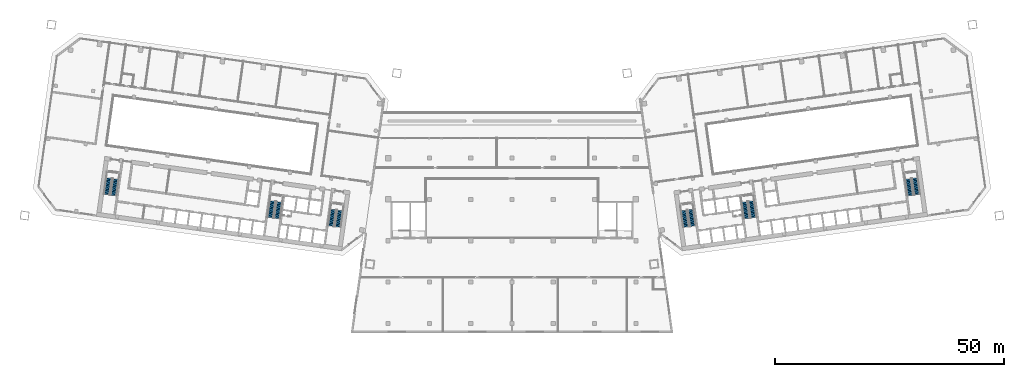
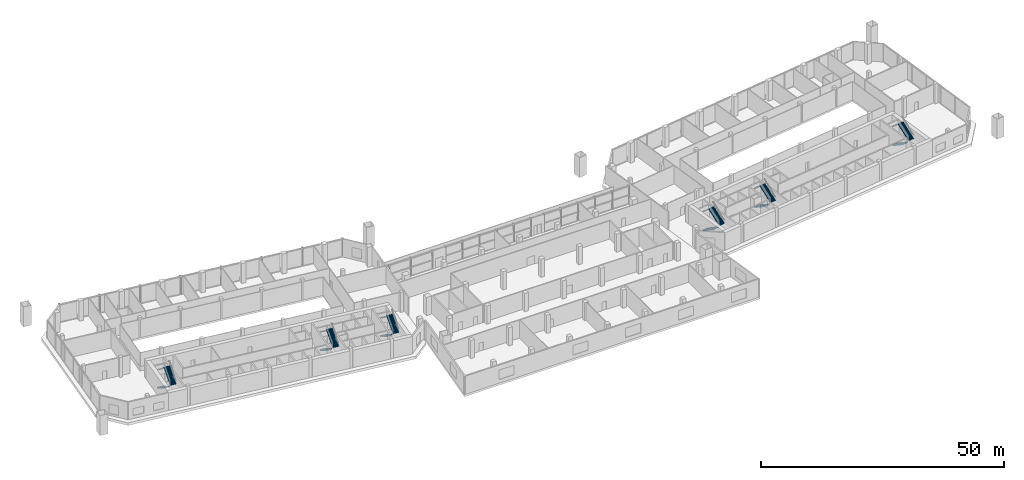
# One storey, part 19 of 21: 12 stair flights, 6 elements without a shape of their own.
"""IFC4 building model written with IfcOpenShell, lengths in metres."""

from ifc_helpers import new_model, si_unit, direction, frame, origin, place, context, subcontext, project, spatial, polyline, outline, extrude, material, type_object, element, aggregate, save


model = new_model("IFC4")

# Units and contexts
model_context = context("Model", 3, precision=1e-05, world=origin(), true_north=direction((0.0, 1.0)))
body_context = subcontext(model_context, "Body", "Model", "MODEL_VIEW")
ifc_project = project(units=[si_unit("LENGTHUNIT", "METRE"), si_unit("AREAUNIT", "SQUARE_METRE"), si_unit("VOLUMEUNIT", "CUBIC_METRE"), si_unit("PLANEANGLEUNIT", "RADIAN"), si_unit("MASSUNIT", "GRAM", prefix="KILO")], contexts=[model_context])

# Site, building, storey
site_placement = place(None, origin())
site = spatial("IfcSite", under=ifc_project, at=site_placement, CompositionType="ELEMENT")
building_placement = place(site_placement, origin())
building = spatial("IfcBuilding", under=site, at=building_placement, Name="Mirante Cascada Hotel Towers", CompositionType="ELEMENT")
storey_placement = place(building_placement, frame((0.0, 0.0, 34.5)))
storey = spatial("IfcBuildingStorey", under=building, at=storey_placement, Name="L05", CompositionType="ELEMENT", Elevation=34.5)

# Stair, stair flights
ifc_material_1 = material(Name="Concrete C35/45", Category="concrete")
stair_type = type_object("IfcStairType", Name="Exit stair half-turn 1350 concrete C35/45", PredefinedType="HALF_TURN_STAIR", material=ifc_material_1)
stair_1_placement = place(storey_placement, origin())
stair_1 = element("IfcStair", 1, at=stair_1_placement, inside=storey, type_object=stair_type, Name="L05 Exit stair A", PredefinedType="HALF_TURN_STAIR")
ifc_material_2 = material(Name="Concrete C35/45", Category="concrete")
stair_flight_type = type_object("IfcStairFlightType", Name="Exit stair flight 1350 concrete C35/45", PredefinedType="STRAIGHT", material=ifc_material_2)
stair_flight_1_placement = place(storey_placement, frame((-38.9417, -11.195, 0.0), z_axis=(0.0, 0.0, 1.0), x_axis=(-0.1391731, -0.9902681, 0.0)))
stair_flight_1 = element("IfcStairFlight", 2, at=stair_flight_1_placement, type_object=stair_flight_type, Name="ST1-A flight 1", NumberOfRisers=14, NumberOfTreads=13, PredefinedType="STRAIGHT", RiserHeight=0.178571429, TreadLength=0.28, context=body_context, shape_type="SweptSolid", body=[
    extrude(outline(polyline([(0.0, 0.0), (0.0, 0.1786), (0.28, 0.1786), (0.28, 0.3571), (0.56, 0.3571), (0.56, 0.5357), (0.84, 0.5357), (0.84, 0.7143), (1.12, 0.7143), (1.12, 0.8929), (1.4, 0.8929), (1.4, 1.0714), (1.68, 1.0714), (1.68, 1.25), (1.96, 1.25), (1.96, 1.4286), (2.24, 1.4286), (2.24, 1.6071), (2.52, 1.6071), (2.52, 1.7857), (2.8, 1.7857), (2.8, 1.9643), (3.08, 1.9643), (3.08, 2.1429), (3.36, 2.1429), (3.36, 2.3214), (3.64, 2.3214), (3.64, 2.5), (3.64, 2.1435), (0.279, 0.0), (0.0, 0.0)])), frame((0.0, 0.675, 0.0), z_axis=(0.0, -1.0, 0.0), x_axis=(1.0, 0.0, 0.0)), (0.0, 0.0, 1.0), 1.35),
])
stair_flight_2_placement = place(storey_placement, frame((-37.9629, -15.0084, 2.5), z_axis=(0.0, 0.0, 1.0), x_axis=(0.1391731, 0.9902681, 0.0)))
stair_flight_2 = element("IfcStairFlight", 3, at=stair_flight_2_placement, type_object=stair_flight_type, Name="ST1-A flight 2", NumberOfRisers=14, NumberOfTreads=13, PredefinedType="STRAIGHT", RiserHeight=0.178571429, TreadLength=0.28, context=body_context, shape_type="SweptSolid", body=[
    extrude(outline(polyline([(0.0, 0.0), (0.0, 0.1786), (0.28, 0.1786), (0.28, 0.3571), (0.56, 0.3571), (0.56, 0.5357), (0.84, 0.5357), (0.84, 0.7143), (1.12, 0.7143), (1.12, 0.8929), (1.4, 0.8929), (1.4, 1.0714), (1.68, 1.0714), (1.68, 1.25), (1.96, 1.25), (1.96, 1.4286), (2.24, 1.4286), (2.24, 1.6071), (2.52, 1.6071), (2.52, 1.7857), (2.8, 1.7857), (2.8, 1.9643), (3.08, 1.9643), (3.08, 2.1429), (3.36, 2.1429), (3.36, 2.3214), (3.64, 2.3214), (3.64, 2.5), (3.64, 2.1435), (0.279, 0.0), (0.0, 0.0)])), frame((0.0, 0.675, 0.0), z_axis=(0.0, -1.0, 0.0), x_axis=(1.0, 0.0, 0.0)), (0.0, 0.0, 1.0), 1.35),
])
aggregate(stair_1, [stair_flight_1, stair_flight_2])

stair_2_placement = place(storey_placement, origin())
stair_2 = element("IfcStair", 4, at=stair_2_placement, inside=storey, type_object=stair_type, Name="L05 Exit stair B", PredefinedType="HALF_TURN_STAIR")
stair_flight_3_placement = place(storey_placement, frame((-52.1618, -9.3371, 0.0), z_axis=(0.0, 0.0, 1.0), x_axis=(-0.1391731, -0.9902681, 0.0)))
stair_flight_3 = element("IfcStairFlight", 5, at=stair_flight_3_placement, type_object=stair_flight_type, Name="ST1-B flight 1", NumberOfRisers=14, NumberOfTreads=13, PredefinedType="STRAIGHT", RiserHeight=0.178571429, TreadLength=0.28, context=body_context, shape_type="SweptSolid", body=[
    extrude(outline(polyline([(0.0, 0.0), (0.0, 0.1786), (0.28, 0.1786), (0.28, 0.3571), (0.56, 0.3571), (0.56, 0.5357), (0.84, 0.5357), (0.84, 0.7143), (1.12, 0.7143), (1.12, 0.8929), (1.4, 0.8929), (1.4, 1.0714), (1.68, 1.0714), (1.68, 1.25), (1.96, 1.25), (1.96, 1.4286), (2.24, 1.4286), (2.24, 1.6071), (2.52, 1.6071), (2.52, 1.7857), (2.8, 1.7857), (2.8, 1.9643), (3.08, 1.9643), (3.08, 2.1429), (3.36, 2.1429), (3.36, 2.3214), (3.64, 2.3214), (3.64, 2.5), (3.64, 2.1435), (0.279, 0.0), (0.0, 0.0)])), frame((0.0, 0.675, 0.0), z_axis=(0.0, -1.0, 0.0), x_axis=(1.0, 0.0, 0.0)), (0.0, 0.0, 1.0), 1.35),
])
stair_flight_4_placement = place(storey_placement, frame((-51.183, -13.1504, 2.5), z_axis=(0.0, 0.0, 1.0), x_axis=(0.1391731, 0.9902681, 0.0)))
stair_flight_4 = element("IfcStairFlight", 6, at=stair_flight_4_placement, type_object=stair_flight_type, Name="ST1-B flight 2", NumberOfRisers=14, NumberOfTreads=13, PredefinedType="STRAIGHT", RiserHeight=0.178571429, TreadLength=0.28, context=body_context, shape_type="SweptSolid", body=[
    extrude(outline(polyline([(0.0, 0.0), (0.0, 0.1786), (0.28, 0.1786), (0.28, 0.3571), (0.56, 0.3571), (0.56, 0.5357), (0.84, 0.5357), (0.84, 0.7143), (1.12, 0.7143), (1.12, 0.8929), (1.4, 0.8929), (1.4, 1.0714), (1.68, 1.0714), (1.68, 1.25), (1.96, 1.25), (1.96, 1.4286), (2.24, 1.4286), (2.24, 1.6071), (2.52, 1.6071), (2.52, 1.7857), (2.8, 1.7857), (2.8, 1.9643), (3.08, 1.9643), (3.08, 2.1429), (3.36, 2.1429), (3.36, 2.3214), (3.64, 2.3214), (3.64, 2.5), (3.64, 2.1435), (0.279, 0.0), (0.0, 0.0)])), frame((0.0, 0.675, 0.0), z_axis=(0.0, -1.0, 0.0), x_axis=(1.0, 0.0, 0.0)), (0.0, 0.0, 1.0), 1.35),
])
aggregate(stair_2, [stair_flight_3, stair_flight_4])

stair_3_placement = place(storey_placement, origin())
stair_3 = element("IfcStair", 7, at=stair_3_placement, inside=storey, type_object=stair_type, Name="L05 Exit stair C", PredefinedType="HALF_TURN_STAIR")
stair_flight_5_placement = place(storey_placement, frame((-87.8115, -4.3268, 0.0), z_axis=(0.0, 0.0, 1.0), x_axis=(-0.1391731, -0.9902681, 0.0)))
stair_flight_5 = element("IfcStairFlight", 8, at=stair_flight_5_placement, type_object=stair_flight_type, Name="ST1-C flight 1", NumberOfRisers=14, NumberOfTreads=13, PredefinedType="STRAIGHT", RiserHeight=0.178571429, TreadLength=0.28, context=body_context, shape_type="SweptSolid", body=[
    extrude(outline(polyline([(0.0, 0.0), (0.0, 0.1786), (0.28, 0.1786), (0.28, 0.3571), (0.56, 0.3571), (0.56, 0.5357), (0.84, 0.5357), (0.84, 0.7143), (1.12, 0.7143), (1.12, 0.8929), (1.4, 0.8929), (1.4, 1.0714), (1.68, 1.0714), (1.68, 1.25), (1.96, 1.25), (1.96, 1.4286), (2.24, 1.4286), (2.24, 1.6071), (2.52, 1.6071), (2.52, 1.7857), (2.8, 1.7857), (2.8, 1.9643), (3.08, 1.9643), (3.08, 2.1429), (3.36, 2.1429), (3.36, 2.3214), (3.64, 2.3214), (3.64, 2.5), (3.64, 2.1435), (0.279, 0.0), (0.0, 0.0)])), frame((0.0, 0.675, 0.0), z_axis=(0.0, -1.0, 0.0), x_axis=(1.0, 0.0, 0.0)), (0.0, 0.0, 1.0), 1.35),
])
stair_flight_6_placement = place(storey_placement, frame((-86.8326, -8.1402, 2.5), z_axis=(0.0, 0.0, 1.0), x_axis=(0.1391731, 0.9902681, 0.0)))
stair_flight_6 = element("IfcStairFlight", 9, at=stair_flight_6_placement, type_object=stair_flight_type, Name="ST1-C flight 2", NumberOfRisers=14, NumberOfTreads=13, PredefinedType="STRAIGHT", RiserHeight=0.178571429, TreadLength=0.28, context=body_context, shape_type="SweptSolid", body=[
    extrude(outline(polyline([(0.0, 0.0), (0.0, 0.1786), (0.28, 0.1786), (0.28, 0.3571), (0.56, 0.3571), (0.56, 0.5357), (0.84, 0.5357), (0.84, 0.7143), (1.12, 0.7143), (1.12, 0.8929), (1.4, 0.8929), (1.4, 1.0714), (1.68, 1.0714), (1.68, 1.25), (1.96, 1.25), (1.96, 1.4286), (2.24, 1.4286), (2.24, 1.6071), (2.52, 1.6071), (2.52, 1.7857), (2.8, 1.7857), (2.8, 1.9643), (3.08, 1.9643), (3.08, 2.1429), (3.36, 2.1429), (3.36, 2.3214), (3.64, 2.3214), (3.64, 2.5), (3.64, 2.1435), (0.279, 0.0), (0.0, 0.0)])), frame((0.0, 0.675, 0.0), z_axis=(0.0, -1.0, 0.0), x_axis=(1.0, 0.0, 0.0)), (0.0, 0.0, 1.0), 1.35),
])
aggregate(stair_3, [stair_flight_5, stair_flight_6])

stair_4_placement = place(storey_placement, origin())
stair_4 = element("IfcStair", 10, at=stair_4_placement, inside=storey, type_object=stair_type, Name="L05 Exit stair A", PredefinedType="HALF_TURN_STAIR")
stair_flight_7_placement = place(storey_placement, frame((37.4563, -11.4038, 0.0), z_axis=(0.0, 0.0, 1.0), x_axis=(0.1391731, -0.9902681, 0.0)))
stair_flight_7 = element("IfcStairFlight", 11, at=stair_flight_7_placement, type_object=stair_flight_type, Name="ST2-A flight 1", NumberOfRisers=14, NumberOfTreads=13, PredefinedType="STRAIGHT", RiserHeight=0.178571429, TreadLength=0.28, context=body_context, shape_type="SweptSolid", body=[
    extrude(outline(polyline([(0.0, 0.0), (0.0, 0.1786), (0.28, 0.1786), (0.28, 0.3571), (0.56, 0.3571), (0.56, 0.5357), (0.84, 0.5357), (0.84, 0.7143), (1.12, 0.7143), (1.12, 0.8929), (1.4, 0.8929), (1.4, 1.0714), (1.68, 1.0714), (1.68, 1.25), (1.96, 1.25), (1.96, 1.4286), (2.24, 1.4286), (2.24, 1.6071), (2.52, 1.6071), (2.52, 1.7857), (2.8, 1.7857), (2.8, 1.9643), (3.08, 1.9643), (3.08, 2.1429), (3.36, 2.1429), (3.36, 2.3214), (3.64, 2.3214), (3.64, 2.5), (3.64, 2.1435), (0.279, 0.0), (0.0, 0.0)])), frame((0.0, 0.675, 0.0), z_axis=(0.0, -1.0, 0.0), x_axis=(1.0, 0.0, 0.0)), (0.0, 0.0, 1.0), 1.35),
])
stair_flight_8_placement = place(storey_placement, frame((39.4483, -14.7996, 2.5), z_axis=(0.0, 0.0, 1.0), x_axis=(-0.1391731, 0.9902681, 0.0)))
stair_flight_8 = element("IfcStairFlight", 12, at=stair_flight_8_placement, type_object=stair_flight_type, Name="ST2-A flight 2", NumberOfRisers=14, NumberOfTreads=13, PredefinedType="STRAIGHT", RiserHeight=0.178571429, TreadLength=0.28, context=body_context, shape_type="SweptSolid", body=[
    extrude(outline(polyline([(0.0, 0.0), (0.0, 0.1786), (0.28, 0.1786), (0.28, 0.3571), (0.56, 0.3571), (0.56, 0.5357), (0.84, 0.5357), (0.84, 0.7143), (1.12, 0.7143), (1.12, 0.8929), (1.4, 0.8929), (1.4, 1.0714), (1.68, 1.0714), (1.68, 1.25), (1.96, 1.25), (1.96, 1.4286), (2.24, 1.4286), (2.24, 1.6071), (2.52, 1.6071), (2.52, 1.7857), (2.8, 1.7857), (2.8, 1.9643), (3.08, 1.9643), (3.08, 2.1429), (3.36, 2.1429), (3.36, 2.3214), (3.64, 2.3214), (3.64, 2.5), (3.64, 2.1435), (0.279, 0.0), (0.0, 0.0)])), frame((0.0, 0.675, 0.0), z_axis=(0.0, -1.0, 0.0), x_axis=(1.0, 0.0, 0.0)), (0.0, 0.0, 1.0), 1.35),
])
aggregate(stair_4, [stair_flight_7, stair_flight_8])

stair_5_placement = place(storey_placement, origin())
stair_5 = element("IfcStair", 13, at=stair_5_placement, inside=storey, type_object=stair_type, Name="L05 Exit stair B", PredefinedType="HALF_TURN_STAIR")
stair_flight_9_placement = place(storey_placement, frame((50.6764, -9.5458, 0.0), z_axis=(0.0, 0.0, 1.0), x_axis=(0.1391731, -0.9902681, 0.0)))
stair_flight_9 = element("IfcStairFlight", 14, at=stair_flight_9_placement, type_object=stair_flight_type, Name="ST2-B flight 1", NumberOfRisers=14, NumberOfTreads=13, PredefinedType="STRAIGHT", RiserHeight=0.178571429, TreadLength=0.28, context=body_context, shape_type="SweptSolid", body=[
    extrude(outline(polyline([(0.0, 0.0), (0.0, 0.1786), (0.28, 0.1786), (0.28, 0.3571), (0.56, 0.3571), (0.56, 0.5357), (0.84, 0.5357), (0.84, 0.7143), (1.12, 0.7143), (1.12, 0.8929), (1.4, 0.8929), (1.4, 1.0714), (1.68, 1.0714), (1.68, 1.25), (1.96, 1.25), (1.96, 1.4286), (2.24, 1.4286), (2.24, 1.6071), (2.52, 1.6071), (2.52, 1.7857), (2.8, 1.7857), (2.8, 1.9643), (3.08, 1.9643), (3.08, 2.1429), (3.36, 2.1429), (3.36, 2.3214), (3.64, 2.3214), (3.64, 2.5), (3.64, 2.1435), (0.279, 0.0), (0.0, 0.0)])), frame((0.0, 0.675, 0.0), z_axis=(0.0, -1.0, 0.0), x_axis=(1.0, 0.0, 0.0)), (0.0, 0.0, 1.0), 1.35),
])
stair_flight_10_placement = place(storey_placement, frame((52.6684, -12.9417, 2.5), z_axis=(0.0, 0.0, 1.0), x_axis=(-0.1391731, 0.9902681, 0.0)))
stair_flight_10 = element("IfcStairFlight", 15, at=stair_flight_10_placement, type_object=stair_flight_type, Name="ST2-B flight 2", NumberOfRisers=14, NumberOfTreads=13, PredefinedType="STRAIGHT", RiserHeight=0.178571429, TreadLength=0.28, context=body_context, shape_type="SweptSolid", body=[
    extrude(outline(polyline([(0.0, 0.0), (0.0, 0.1786), (0.28, 0.1786), (0.28, 0.3571), (0.56, 0.3571), (0.56, 0.5357), (0.84, 0.5357), (0.84, 0.7143), (1.12, 0.7143), (1.12, 0.8929), (1.4, 0.8929), (1.4, 1.0714), (1.68, 1.0714), (1.68, 1.25), (1.96, 1.25), (1.96, 1.4286), (2.24, 1.4286), (2.24, 1.6071), (2.52, 1.6071), (2.52, 1.7857), (2.8, 1.7857), (2.8, 1.9643), (3.08, 1.9643), (3.08, 2.1429), (3.36, 2.1429), (3.36, 2.3214), (3.64, 2.3214), (3.64, 2.5), (3.64, 2.1435), (0.279, 0.0), (0.0, 0.0)])), frame((0.0, 0.675, 0.0), z_axis=(0.0, -1.0, 0.0), x_axis=(1.0, 0.0, 0.0)), (0.0, 0.0, 1.0), 1.35),
])
aggregate(stair_5, [stair_flight_9, stair_flight_10])

stair_6_placement = place(storey_placement, origin())
stair_6 = element("IfcStair", 16, at=stair_6_placement, inside=storey, type_object=stair_type, Name="L05 Exit stair C", PredefinedType="HALF_TURN_STAIR")
stair_flight_11_placement = place(storey_placement, frame((86.326, -4.5356, 0.0), z_axis=(0.0, 0.0, 1.0), x_axis=(0.1391731, -0.9902681, 0.0)))
stair_flight_11 = element("IfcStairFlight", 17, at=stair_flight_11_placement, type_object=stair_flight_type, Name="ST2-C flight 1", NumberOfRisers=14, NumberOfTreads=13, PredefinedType="STRAIGHT", RiserHeight=0.178571429, TreadLength=0.28, context=body_context, shape_type="SweptSolid", body=[
    extrude(outline(polyline([(0.0, 0.0), (0.0, 0.1786), (0.28, 0.1786), (0.28, 0.3571), (0.56, 0.3571), (0.56, 0.5357), (0.84, 0.5357), (0.84, 0.7143), (1.12, 0.7143), (1.12, 0.8929), (1.4, 0.8929), (1.4, 1.0714), (1.68, 1.0714), (1.68, 1.25), (1.96, 1.25), (1.96, 1.4286), (2.24, 1.4286), (2.24, 1.6071), (2.52, 1.6071), (2.52, 1.7857), (2.8, 1.7857), (2.8, 1.9643), (3.08, 1.9643), (3.08, 2.1429), (3.36, 2.1429), (3.36, 2.3214), (3.64, 2.3214), (3.64, 2.5), (3.64, 2.1435), (0.279, 0.0), (0.0, 0.0)])), frame((0.0, 0.675, 0.0), z_axis=(0.0, -1.0, 0.0), x_axis=(1.0, 0.0, 0.0)), (0.0, 0.0, 1.0), 1.35),
])
stair_flight_12_placement = place(storey_placement, frame((88.318, -7.9314, 2.5), z_axis=(0.0, 0.0, 1.0), x_axis=(-0.1391731, 0.9902681, 0.0)))
stair_flight_12 = element("IfcStairFlight", 18, at=stair_flight_12_placement, type_object=stair_flight_type, Name="ST2-C flight 2", NumberOfRisers=14, NumberOfTreads=13, PredefinedType="STRAIGHT", RiserHeight=0.178571429, TreadLength=0.28, context=body_context, shape_type="SweptSolid", body=[
    extrude(outline(polyline([(0.0, 0.0), (0.0, 0.1786), (0.28, 0.1786), (0.28, 0.3571), (0.56, 0.3571), (0.56, 0.5357), (0.84, 0.5357), (0.84, 0.7143), (1.12, 0.7143), (1.12, 0.8929), (1.4, 0.8929), (1.4, 1.0714), (1.68, 1.0714), (1.68, 1.25), (1.96, 1.25), (1.96, 1.4286), (2.24, 1.4286), (2.24, 1.6071), (2.52, 1.6071), (2.52, 1.7857), (2.8, 1.7857), (2.8, 1.9643), (3.08, 1.9643), (3.08, 2.1429), (3.36, 2.1429), (3.36, 2.3214), (3.64, 2.3214), (3.64, 2.5), (3.64, 2.1435), (0.279, 0.0), (0.0, 0.0)])), frame((0.0, 0.675, 0.0), z_axis=(0.0, -1.0, 0.0), x_axis=(1.0, 0.0, 0.0)), (0.0, 0.0, 1.0), 1.35),
])
aggregate(stair_6, [stair_flight_11, stair_flight_12])

save(model, "model.ifc")
